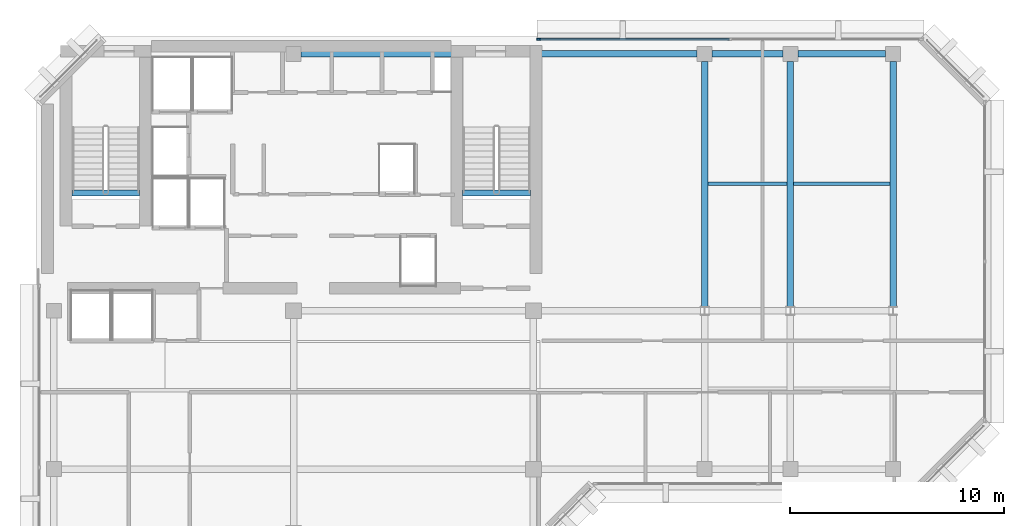
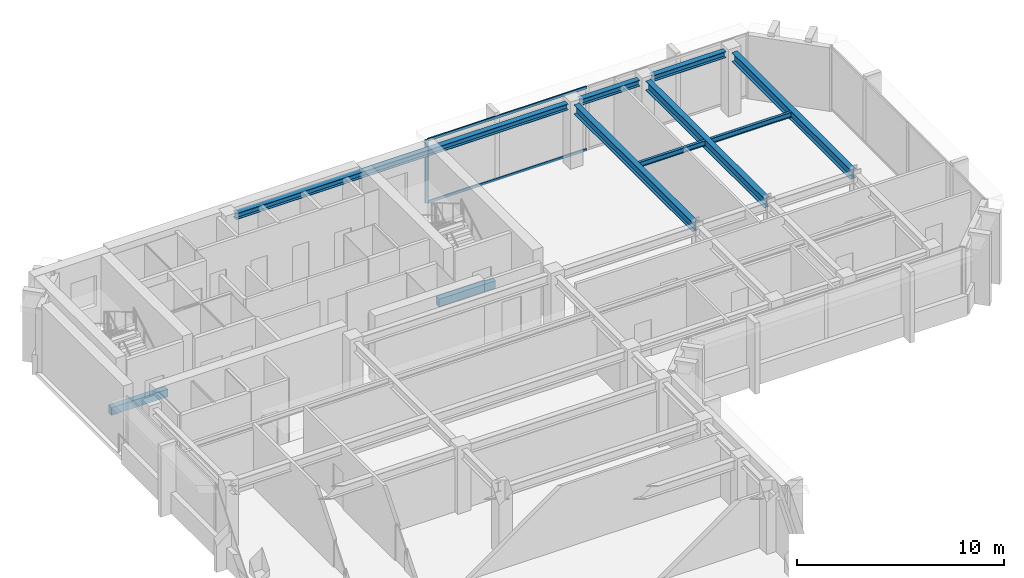
# One storey, part 4 of 11: 10 beams, 3 members, 1 element without a shape of its own.
"""IFC4 building model written with IfcOpenShell, lengths in metres."""

from ifc_helpers import new_model, si_unit, direction, frame, origin, origin_2d, place, context, subcontext, project, spatial, rectangle, i_section, extrude, material, layer, layer_set, material_profile, profile_set, type_object, element, aggregate, save


model = new_model("IFC4")

# Units and contexts
model_context = context("Model", 3, precision=1e-05, world=origin(), true_north=direction((0.0, 1.0)))
body_context = subcontext(model_context, "Body", "Model", "MODEL_VIEW")
ifc_project = project(units=[si_unit("LENGTHUNIT", "METRE"), si_unit("AREAUNIT", "SQUARE_METRE"), si_unit("VOLUMEUNIT", "CUBIC_METRE"), si_unit("PLANEANGLEUNIT", "RADIAN"), si_unit("MASSUNIT", "GRAM", prefix="KILO")], contexts=[model_context])

# Site, building, storey
site_placement = place(None, origin())
site = spatial("IfcSite", under=ifc_project, at=site_placement, CompositionType="ELEMENT")
building_placement = place(site_placement, origin())
building = spatial("IfcBuilding", under=site, at=building_placement, Name="Kefirva Bronze Tower", CompositionType="ELEMENT")
storey_placement = place(building_placement, frame((0.0, 0.0, 288.090087890625)))
storey = spatial("IfcBuildingStorey", under=building, at=storey_placement, Name="L70", CompositionType="ELEMENT", Elevation=288.090087890625)

# Curtain wall, members
ifc_material_1 = material(Name="Bronze anodised aluminium", Category="aluminium")
ifc_layer = layer(ifc_material_1, 0.179931640625, Name="Bronze anodised aluminium")
ifc_layer_set = layer_set([ifc_layer], Name="Bronze anodised aluminium")
curtain_wall_type = type_object("IfcCurtainWallType", Name="Unitised Bronze Ribbon Curtain Wall Zone 4", PredefinedType="USERDEFINED", material=ifc_layer_set)
curtain_wall_placement = place(storey_placement, origin())
curtain_wall = element("IfcCurtainWall", 1, at=curtain_wall_placement, inside=storey, type_object=curtain_wall_type, Name="L70 Curtain Wall 4", ObjectType="UNITISED CURTAIN WALL", PredefinedType="USERDEFINED")
ifc_material_profile_1 = material_profile(ifc_material_1, rectangle(XDim=0.074951171875, YDim=0.179931640625, at=origin_2d()), Name="ALU 75x180")
ifc_profile_set_1 = profile_set([ifc_material_profile_1], Name="Bronze anodised aluminium")
member_type_1 = type_object("IfcMemberType", Name="Bronze Mullion 75x180", PredefinedType="MULLION", material=ifc_profile_set_1)
member_1_placement = place(storey_placement, frame((23.4423828125, 45.8798828125, 0.0), z_axis=(0.0, 0.0, 1.0), x_axis=(0.0, -1.0, 0.0)))
member_1 = element("IfcMember", 2, at=member_1_placement, type_object=member_type_1, Name="CW-04 mullion 3", PredefinedType="MULLION", context=body_context, shape_type="SweptSolid", body=[
    extrude(rectangle(XDim=0.074951171875, YDim=0.179931640625, at=origin_2d()), origin(), (0.0, 0.0, 1.0), 3.739990234375),
])
ifc_material_profile_2 = material_profile(ifc_material_1, rectangle(XDim=0.074951171875, YDim=0.14990234375, at=origin_2d()), Name="ALU 75x150")
ifc_profile_set_2 = profile_set([ifc_material_profile_2], Name="Bronze anodised aluminium")
member_type_2 = type_object("IfcMemberType", Name="Bronze Transom 75x150", PredefinedType="USERDEFINED", material=ifc_profile_set_2)
member_2_placement = place(storey_placement, frame((32.33740234375, 45.8798828125, 0.037353515625), z_axis=(-1.0, 0.0, 0.0), x_axis=(0.0, -1.0, 0.0)))
member_2 = element("IfcMember", 3, at=member_2_placement, type_object=member_type_2, Name="CW-04 transom 2.1", ObjectType="TRANSOM", PredefinedType="USERDEFINED", context=body_context, shape_type="SweptSolid", body=[
    extrude(rectangle(XDim=0.074951171875, YDim=0.14990234375, at=origin_2d()), origin(), (0.0, 0.0, 1.0), 8.857421875),
])
member_3_placement = place(storey_placement, frame((32.33740234375, 45.8798828125, 3.702392578125), z_axis=(-1.0, 0.0, 0.0), x_axis=(0.0, -1.0, 0.0)))
member_3 = element("IfcMember", 4, at=member_3_placement, type_object=member_type_2, Name="CW-04 transom 2.2", ObjectType="TRANSOM", PredefinedType="USERDEFINED", context=body_context, shape_type="SweptSolid", body=[
    extrude(rectangle(XDim=0.074951171875, YDim=0.14990234375, at=origin_2d()), origin(), (0.0, 0.0, 1.0), 8.857421875),
])
aggregate(curtain_wall, [member_1, member_2, member_3])

# Beams
ifc_material_2 = material(Name="Concrete C50/60", Category="concrete")
ifc_material_profile_3 = material_profile(ifc_material_2, rectangle(XDim=0.300048828125, YDim=0.449951171875, at=origin_2d()), Name="RC 300x450")
ifc_profile_set_3 = profile_set([ifc_material_profile_3], Name="Concrete C50/60")
beam_type_1 = type_object("IfcBeamType", Name="RC Stair Trimmer Beam 300x450", PredefinedType="BEAM", material=ifc_profile_set_3)
beam_1_placement = place(storey_placement, frame((1.64501953125, 38.699951171875, -0.22509765625), z_axis=(1.0, 0.0, 0.0), x_axis=(0.0, 1.0, 0.0)))
element("IfcBeam", 5, at=beam_1_placement, inside=storey, type_object=beam_type_1, Name="L70 Stair 1 Landing Trimmer Beam", PredefinedType="BEAM", context=body_context, shape_type="SweptSolid", body=[
    extrude(rectangle(XDim=0.300048828125, YDim=0.449951171875, at=origin_2d()), origin(), (0.0, 0.0, 1.0), 3.14990234375),
])
beam_2_placement = place(storey_placement, frame((19.89501953125, 38.699951171875, -0.22509765625), z_axis=(1.0, 0.0, 0.0), x_axis=(0.0, 1.0, 0.0)))
element("IfcBeam", 6, at=beam_2_placement, inside=storey, type_object=beam_type_1, Name="L70 Stair 2 Landing Trimmer Beam", PredefinedType="BEAM", context=body_context, shape_type="SweptSolid", body=[
    extrude(rectangle(XDim=0.300048828125, YDim=0.449951171875, at=origin_2d()), origin(), (0.0, 0.0, 1.0), 3.159912109375),
])
ifc_material_3 = material(Name="Steel S355", Category="steel")
ifc_material_profile_4 = material_profile(ifc_material_3, i_section(OverallWidth=0.14990234375, OverallDepth=0.300048828125, WebThickness=0.007080078125, FlangeThickness=0.0107421875, at=origin_2d()), Name="IPE 300")
ifc_profile_set_4 = profile_set([ifc_material_profile_4], Name="Steel S355")
beam_type_2 = type_object("IfcBeamType", Name="Steel Floor Joist IPE 300", PredefinedType="JOIST", material=ifc_profile_set_4)
beam_3_placement = place(storey_placement, frame((31.35009765625, 39.12890625, 3.58984375), z_axis=(1.0, 0.0, 0.0), x_axis=(0.0, 1.0, 0.0)))
element("IfcBeam", 7, at=beam_3_placement, inside=storey, type_object=beam_type_2, Name="L70 JST-L70-31-391", PredefinedType="JOIST", context=body_context, shape_type="SweptSolid", body=[
    extrude(i_section(OverallWidth=0.14990234375, OverallDepth=0.300048828125, WebThickness=0.007080078125, FlangeThickness=0.0107421875, at=origin_2d()), origin(), (0.0, 0.0, 1.0), 3.699951171875),
])
beam_4_placement = place(storey_placement, frame((35.35009765625, 39.12890625, 3.58984375), z_axis=(1.0, 0.0, 0.0), x_axis=(0.0, 1.0, 0.0)))
element("IfcBeam", 8, at=beam_4_placement, inside=storey, type_object=beam_type_2, Name="L70 JST-L70-35-391", PredefinedType="JOIST", context=body_context, shape_type="SweptSolid", body=[
    extrude(i_section(OverallWidth=0.14990234375, OverallDepth=0.300048828125, WebThickness=0.007080078125, FlangeThickness=0.0107421875, at=origin_2d()), origin(), (0.0, 0.0, 1.0), 4.5),
])
ifc_material_profile_5 = material_profile(ifc_material_3, i_section(OverallWidth=0.300048828125, OverallDepth=0.550048828125, WebThickness=0.014892578125, FlangeThickness=0.029052734375, at=origin_2d()), Name="HEB 550")
ifc_profile_set_5 = profile_set([ifc_material_profile_5], Name="Steel S355")
beam_type_3 = type_object("IfcBeamType", Name="Steel Girder HEB 550", PredefinedType="USERDEFINED", material=ifc_profile_set_5)
for number, where, z_axis, x_axis, name in (
    (9, (31.199951171875, 33.407958984375, 3.46484375), (0.0, 1.0, 0.0), (-1.0, 0.0, 0.0), "L70 BM-L70-NS-312-33"),
    (10, (35.199951171875, 33.407958984375, 3.46484375), (0.0, 1.0, 0.0), (-1.0, 0.0, 0.0), "L70 BM-L70-NS-352-33"),
    (11, (40.0, 33.407958984375, 3.46484375), (0.0, 1.0, 0.0), (-1.0, 0.0, 0.0), "L70 BM-L70-NS-400-33"),
):
    element("IfcBeam", number, at=place(storey_placement, frame(where, z_axis=z_axis, x_axis=x_axis)), inside=storey, type_object=beam_type_3, Name=name, ObjectType="GIRDER", PredefinedType="USERDEFINED", context=body_context, shape_type="SweptSolid", body=[
        extrude(i_section(OverallWidth=0.300048828125, OverallDepth=0.550048828125, WebThickness=0.014892578125, FlangeThickness=0.029052734375, at=origin_2d()), origin(), (0.0, 0.0, 1.0), 11.442138671875),
    ])
ifc_material_profile_6 = material_profile(ifc_material_3, i_section(OverallWidth=0.300048828125, OverallDepth=0.360107421875, WebThickness=0.012451171875, FlangeThickness=0.0224609375, at=origin_2d()), Name="HEB 360")
ifc_profile_set_6 = profile_set([ifc_material_profile_6], Name="Steel S355")
beam_type_4 = type_object("IfcBeamType", Name="Steel Spandrel HEB 360 Ext", PredefinedType="SPANDREL", material=ifc_profile_set_6)
beam_5_placement = place(storey_placement, frame((12.35009765625, 45.199951171875, 3.559814453125), z_axis=(1.0, 0.0, 0.0), x_axis=(0.0, 1.0, 0.0)))
element("IfcBeam", 12, at=beam_5_placement, inside=storey, type_object=beam_type_4, Name="L70 BM-L70-EW-12-452", PredefinedType="SPANDREL", context=body_context, shape_type="SweptSolid", body=[
    extrude(i_section(OverallWidth=0.300048828125, OverallDepth=0.360107421875, WebThickness=0.012451171875, FlangeThickness=0.0224609375, at=origin_2d()), origin(), (0.0, 0.0, 1.0), 18.5),
])
beam_6_placement = place(storey_placement, frame((31.550048828125, 45.199951171875, 3.559814453125), z_axis=(1.0, 0.0, 0.0), x_axis=(0.0, 1.0, 0.0)))
element("IfcBeam", 13, at=beam_6_placement, inside=storey, type_object=beam_type_4, Name="L70 BM-L70-EW-31-452", PredefinedType="SPANDREL", context=body_context, shape_type="SweptSolid", body=[
    extrude(i_section(OverallWidth=0.300048828125, OverallDepth=0.360107421875, WebThickness=0.012451171875, FlangeThickness=0.0224609375, at=origin_2d()), origin(), (0.0, 0.0, 1.0), 3.300048828125),
])
beam_7_placement = place(storey_placement, frame((35.550048828125, 45.199951171875, 3.559814453125), z_axis=(1.0, 0.0, 0.0), x_axis=(0.0, 1.0, 0.0)))
element("IfcBeam", 14, at=beam_7_placement, inside=storey, type_object=beam_type_4, Name="L70 BM-L70-EW-35-452", PredefinedType="SPANDREL", context=body_context, shape_type="SweptSolid", body=[
    extrude(i_section(OverallWidth=0.300048828125, OverallDepth=0.360107421875, WebThickness=0.012451171875, FlangeThickness=0.0224609375, at=origin_2d()), origin(), (0.0, 0.0, 1.0), 4.099853515625),
])

save(model, "model.ifc")
